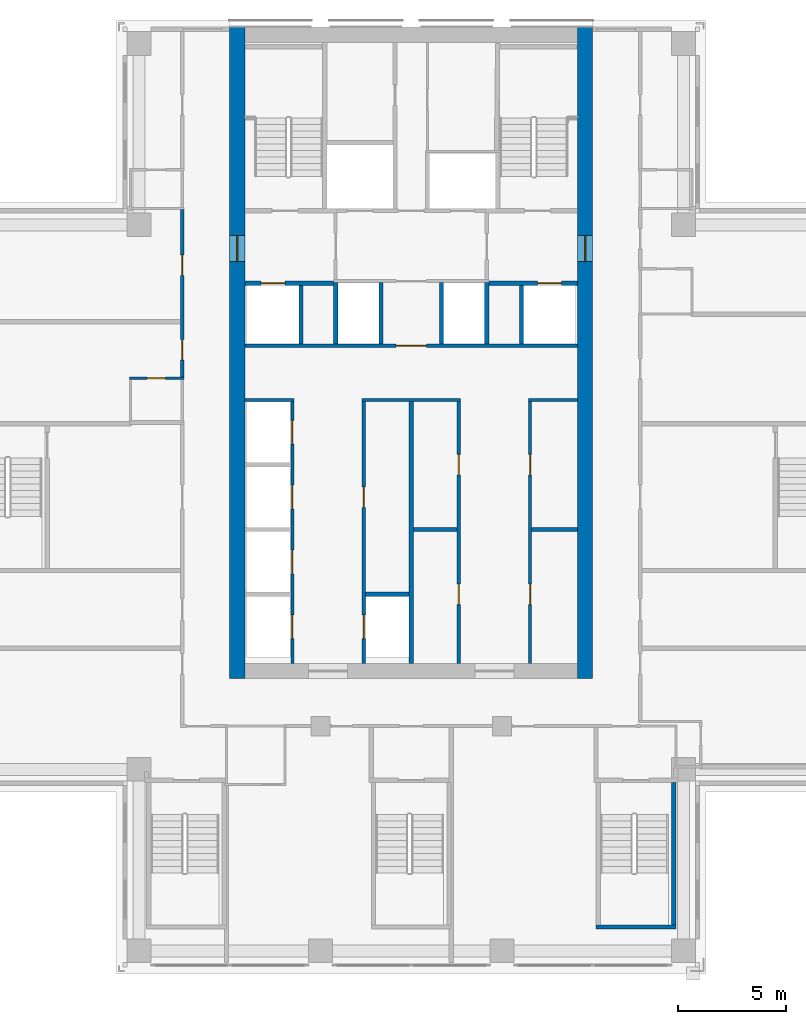
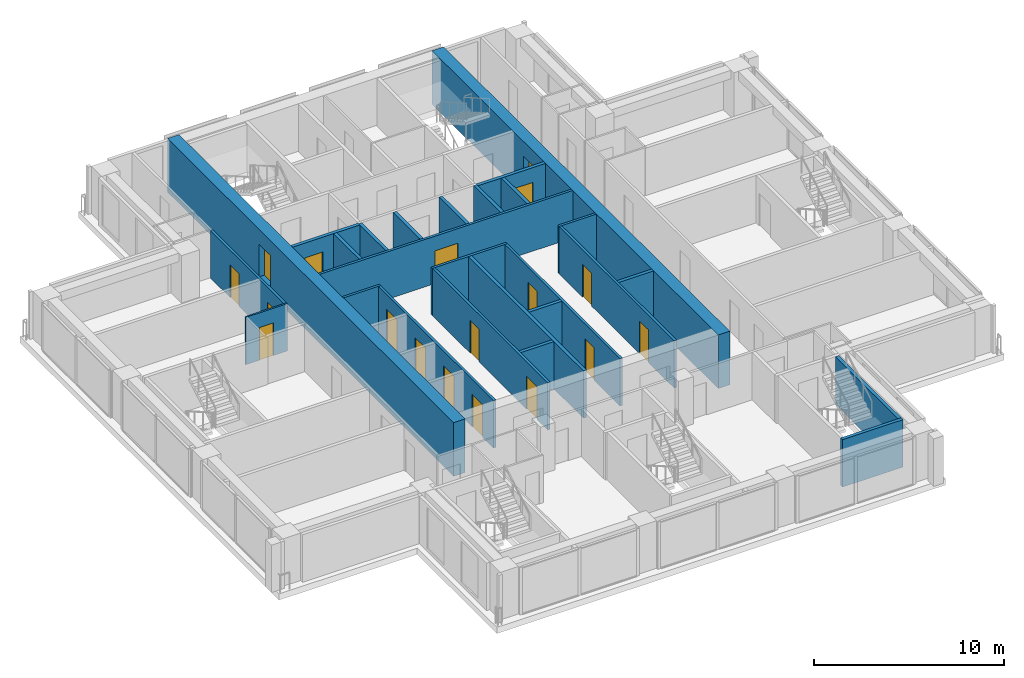
# One storey, part 10 of 16: 26 walls, 18 doors, 18 openings.
"""IFC4 building model written with IfcOpenShell, lengths in metres."""

from ifc_helpers import new_model, si_unit, direction, frame, frame_2d, origin, place, context, subcontext, project, spatial, rectangle, extrude, material, layer, layer_set, type_object, element, fill, save


model = new_model("IFC4")

# Units and contexts
model_context = context("Model", 3, precision=1e-05, world=origin(), true_north=direction((0.0, 1.0)))
body_context = subcontext(model_context, "Body", "Model", "MODEL_VIEW")
ifc_project = project(units=[si_unit("LENGTHUNIT", "METRE"), si_unit("AREAUNIT", "SQUARE_METRE"), si_unit("VOLUMEUNIT", "CUBIC_METRE"), si_unit("PLANEANGLEUNIT", "RADIAN"), si_unit("MASSUNIT", "GRAM", prefix="KILO")], contexts=[model_context])

# Site, building, storey
site_placement = place(None, origin())
site = spatial("IfcSite", under=ifc_project, at=site_placement, CompositionType="ELEMENT")
building_placement = place(site_placement, origin())
building = spatial("IfcBuilding", under=site, at=building_placement, Name="Vermilion Ogive Tower", CompositionType="ELEMENT")
storey_placement = place(building_placement, frame((0.0, 0.0, 146.89990234375)))
storey = spatial("IfcBuildingStorey", under=building, at=storey_placement, Name="L37", CompositionType="ELEMENT", Elevation=146.89990234375)

# Wall, opening, door
ifc_material_1 = material(Name="Gypsum board partition on steel studs", Category="steel")
ifc_layer_1 = layer(ifc_material_1, 0.10009765625)
ifc_layer_set_1 = layer_set([ifc_layer_1], Name="Partition 100 bath")
wall_type_1 = type_object("IfcWallType", Name="Partition 100 bath", PredefinedType="PARTITIONING", material=ifc_layer_set_1)
wall_1_placement = place(storey_placement, frame((-13.048095703125, 5.5, 0.0), z_axis=(0.0, 0.0, 1.0), x_axis=(1.0, 0.0, 0.0)))
wall_1 = element("IfcWall", 1, at=wall_1_placement, inside=storey, type_object=wall_type_1, Name="L37-W-W022", PredefinedType="PARTITIONING", context=body_context, shape_type="SweptSolid", body=[
    extrude(rectangle(XDim=2.523193359375, YDim=0.10009765625, at=frame_2d((1.26171875, 0.0))), origin(), (0.0, 0.0, 1.0), 3.050048828125),
])
opening_1_placement = place(wall_1_placement, frame((0.822998046875, 0.0, 0.0)))
opening_1 = element("IfcOpeningElement", 2, at=opening_1_placement, cuts=wall_1, Name="Opening D3G2003", PredefinedType="OPENING", context=body_context, shape_type="SweptSolid", body=[
    extrude(rectangle(XDim=0.85009765625, YDim=2.10009765625, at=frame_2d((0.425048828125, 1.050048828125))), frame((0.0, 0.06005859375, 0.0), z_axis=(0.0, -1.0, 0.0), x_axis=(1.0, 0.0, 0.0)), (0.0, 0.0, 1.0), 0.1201171875),
])
ifc_material_2 = material(Name="Timber door leaf", Category="wood")
door_type_1 = type_object("IfcDoorType", Name="Bath door 850 x 2100 FD30", OperationType="SINGLE_SWING_LEFT", PredefinedType="DOOR", material=ifc_material_2)
door_1_placement = place(opening_1_placement, origin())
door_1 = element("IfcDoor", 3, at=door_1_placement, inside=storey, type_object=door_type_1, Name="L37-D-D003", OperationType="SINGLE_SWING_RIGHT", OverallHeight=2.10009765625, OverallWidth=0.85009765625, PredefinedType="DOOR", context=body_context, shape_type="SweptSolid", body=[
    extrude(rectangle(XDim=0.85009765625, YDim=2.10009765625, at=frame_2d((0.425048828125, 1.050048828125))), frame((0.0, 0.02490234375, 0.0), z_axis=(0.0, -1.0, 0.0), x_axis=(1.0, 0.0, 0.0)), (0.0, 0.0, 1.0), 0.050048828125),
])
fill(opening_1, door_1)

# Wall, openings, doors
ifc_material_3 = material(Name="Gypsum board partition on steel studs", Category="steel")
ifc_layer_2 = layer(ifc_material_3, 0.14990234375)
ifc_layer_set_2 = layer_set([ifc_layer_2], Name="Partition 150 corridor")
wall_type_2 = type_object("IfcWallType", Name="Partition 150 corridor", PredefinedType="PARTITIONING", material=ifc_layer_set_2)
wall_2_placement = place(storey_placement, frame((-10.60009765625, 5.550048828125, 0.0), z_axis=(0.0, 0.0, 1.0), x_axis=(0.0, 1.0, 0.0)))
wall_2 = element("IfcWall", 4, at=wall_2_placement, inside=storey, type_object=wall_type_2, Name="L37-W-W041", PredefinedType="PARTITIONING", context=body_context, shape_type="SweptSolid", body=[
    extrude(rectangle(XDim=7.75, YDim=0.14990234375, at=frame_2d((3.875, 0.0))), origin(), (0.0, 0.0, 1.0), 3.050048828125),
])
opening_2_placement = place(wall_2_placement, frame((0.784912109375, 0.0, 0.0)))
opening_2 = element("IfcOpeningElement", 5, at=opening_2_placement, cuts=wall_2, Name="Opening D3G2002", PredefinedType="OPENING", context=body_context, shape_type="SweptSolid", body=[
    extrude(rectangle(XDim=0.949951171875, YDim=2.10009765625, at=frame_2d((0.47509765625, 1.050048828125))), frame((0.0, 0.0849609375, 0.0), z_axis=(0.0, -1.0, 0.0), x_axis=(1.0, 0.0, 0.0)), (0.0, 0.0, 1.0), 0.169921875),
])
opening_3_placement = place(wall_2_placement, frame((4.7099609375, 0.0, 0.0)))
opening_3 = element("IfcOpeningElement", 6, at=opening_3_placement, cuts=wall_2, Name="Opening D3G2004", PredefinedType="OPENING", context=body_context, shape_type="SweptSolid", body=[
    extrude(rectangle(XDim=0.949951171875, YDim=2.10009765625, at=frame_2d((0.47509765625, 1.050048828125))), frame((0.0, 0.0849609375, 0.0), z_axis=(0.0, -1.0, 0.0), x_axis=(1.0, 0.0, 0.0)), (0.0, 0.0, 1.0), 0.169921875),
])
ifc_material_4 = material(Name="Timber door leaf", Category="wood")
door_type_2 = type_object("IfcDoorType", Name="Unit door 950 x 2100 FD30S", OperationType="SINGLE_SWING_LEFT", PredefinedType="DOOR", material=ifc_material_4)
door_2_placement = place(opening_2_placement, origin())
door_2 = element("IfcDoor", 7, at=door_2_placement, inside=storey, type_object=door_type_2, Name="L37-D-D002", OperationType="SINGLE_SWING_LEFT", OverallHeight=2.10009765625, OverallWidth=0.949951171875, PredefinedType="DOOR", context=body_context, shape_type="SweptSolid", body=[
    extrude(rectangle(XDim=0.949951171875, YDim=2.10009765625, at=frame_2d((0.47509765625, 1.050048828125))), frame((0.0, 0.02490234375, 0.0), z_axis=(0.0, -1.0, 0.0), x_axis=(1.0, 0.0, 0.0)), (0.0, 0.0, 1.0), 0.050048828125),
])
fill(opening_2, door_2)
door_3_placement = place(opening_3_placement, origin())
door_3 = element("IfcDoor", 8, at=door_3_placement, inside=storey, type_object=door_type_2, Name="L37-D-D004", OperationType="SINGLE_SWING_RIGHT", OverallHeight=2.10009765625, OverallWidth=0.949951171875, PredefinedType="DOOR", context=body_context, shape_type="SweptSolid", body=[
    extrude(rectangle(XDim=0.949951171875, YDim=2.10009765625, at=frame_2d((0.47509765625, 1.050048828125))), frame((0.0, 0.02490234375, 0.0), z_axis=(0.0, -1.0, 0.0), x_axis=(1.0, 0.0, 0.0)), (0.0, 0.0, 1.0), 0.050048828125),
])
fill(opening_3, door_3)

# Walls
wall_3_placement = place(storey_placement, frame((-7.698974609375, 4.5, 0.0), z_axis=(0.0, 0.0, 1.0), x_axis=(1.0, 0.0, 0.0)))
element("IfcWall", 9, at=wall_3_placement, inside=storey, type_object=wall_type_2, Name="L37-CK-W-W007", PredefinedType="PARTITIONING", context=body_context, shape_type="SweptSolid", body=[
    extrude(rectangle(XDim=2.27392578125, YDim=0.14990234375, at=frame_2d((1.136962890625, 0.0))), origin(), (0.0, 0.0, 1.0), 3.050048828125),
])
wall_4_placement = place(storey_placement, frame((-2.27490234375, 4.5, 0.0), z_axis=(0.0, 0.0, 1.0), x_axis=(1.0, 0.0, 0.0)))
element("IfcWall", 10, at=wall_4_placement, inside=storey, type_object=wall_type_2, Name="L37-CK-W-W008", PredefinedType="PARTITIONING", context=body_context, shape_type="SweptSolid", body=[
    extrude(rectangle(XDim=4.5498046875, YDim=0.14990234375, at=frame_2d((2.27490234375, 0.0))), origin(), (0.0, 0.0, 1.0), 3.050048828125),
])
wall_5_placement = place(storey_placement, frame((5.425048828125, 4.5, 0.0), z_axis=(0.0, 0.0, 1.0), x_axis=(1.0, 0.0, 0.0)))
element("IfcWall", 11, at=wall_5_placement, inside=storey, type_object=wall_type_2, Name="L37-CK-W-W009", PredefinedType="PARTITIONING", context=body_context, shape_type="SweptSolid", body=[
    extrude(rectangle(XDim=2.27392578125, YDim=0.14990234375, at=frame_2d((1.136962890625, 0.0))), origin(), (0.0, 0.0, 1.0), 3.050048828125),
])

# Wall, opening, door
wall_6_placement = place(storey_placement, frame((-7.698974609375, 7.0, 0.0), z_axis=(0.0, 0.0, 1.0), x_axis=(1.0, 0.0, 0.0)))
wall_6 = element("IfcWall", 12, at=wall_6_placement, inside=storey, type_object=wall_type_2, Name="L37-CK-W-W010", PredefinedType="PARTITIONING", context=body_context, shape_type="SweptSolid", body=[
    extrude(rectangle(XDim=15.39794921875, YDim=0.14990234375, at=frame_2d((7.698974609375, 0.0))), origin(), (0.0, 0.0, 1.0), 3.050048828125),
])
opening_4_placement = place(wall_6_placement, frame((6.9990234375, 0.0, 0.0)))
opening_4 = element("IfcOpeningElement", 13, at=opening_4_placement, cuts=wall_6, Name="Opening DAA302", PredefinedType="OPENING", context=body_context, shape_type="SweptSolid", body=[
    extrude(rectangle(XDim=1.39990234375, YDim=2.10009765625, at=frame_2d((0.699951171875, 1.050048828125))), frame((0.0, 0.0849609375, 0.0), z_axis=(0.0, -1.0, 0.0), x_axis=(1.0, 0.0, 0.0)), (0.0, 0.0, 1.0), 0.169921875),
])
ifc_material_5 = material(Name="Timber door leaf", Category="wood")
door_type_3 = type_object("IfcDoorType", Name="Lobby door 1400 x 2100 FD60S", OperationType="SINGLE_SWING_LEFT", PredefinedType="DOOR", material=ifc_material_5)
door_4_placement = place(opening_4_placement, origin())
door_4 = element("IfcDoor", 14, at=door_4_placement, inside=storey, type_object=door_type_3, Name="L37-CK-D-D015", OperationType="SINGLE_SWING_RIGHT", OverallHeight=2.10009765625, OverallWidth=1.39990234375, PredefinedType="DOOR", context=body_context, shape_type="SweptSolid", body=[
    extrude(rectangle(XDim=1.39990234375, YDim=2.10009765625, at=frame_2d((0.699951171875, 1.050048828125))), frame((0.0, 0.02490234375, 0.0), z_axis=(0.0, -1.0, 0.0), x_axis=(1.0, 0.0, 0.0)), (0.0, 0.0, 1.0), 0.050048828125),
])
fill(opening_4, door_4)

# Wall, openings, doors
wall_7_placement = place(storey_placement, frame((-5.5, -7.698974609375, 0.0), z_axis=(0.0, 0.0, 1.0), x_axis=(0.0, 1.0, 0.0)))
wall_7 = element("IfcWall", 15, at=wall_7_placement, inside=storey, type_object=wall_type_2, Name="L37-CK-W-W019", PredefinedType="PARTITIONING", context=body_context, shape_type="SweptSolid", body=[
    extrude(rectangle(XDim=12.1240234375, YDim=0.14990234375, at=frame_2d((6.06201171875, 0.0))), origin(), (0.0, 0.0, 1.0), 3.050048828125),
])
opening_5_placement = place(wall_7_placement, frame((1.14892578125, 0.0, 0.0)))
opening_5 = element("IfcOpeningElement", 16, at=opening_5_placement, cuts=wall_7, Name="Opening DAA314", PredefinedType="OPENING", context=body_context, shape_type="SweptSolid", body=[
    extrude(rectangle(XDim=1.10009765625, YDim=2.10009765625, at=frame_2d((0.550048828125, 1.050048828125))), frame((0.0, 0.0849609375, 0.0), z_axis=(0.0, -1.0, 0.0), x_axis=(1.0, 0.0, 0.0)), (0.0, 0.0, 1.0), 0.169921875),
])
opening_6_placement = place(wall_7_placement, frame((4.14892578125, 0.0, 0.0)))
opening_6 = element("IfcOpeningElement", 17, at=opening_6_placement, cuts=wall_7, Name="Opening DAA315", PredefinedType="OPENING", context=body_context, shape_type="SweptSolid", body=[
    extrude(rectangle(XDim=1.10009765625, YDim=2.10009765625, at=frame_2d((0.550048828125, 1.050048828125))), frame((0.0, 0.0849609375, 0.0), z_axis=(0.0, -1.0, 0.0), x_axis=(1.0, 0.0, 0.0)), (0.0, 0.0, 1.0), 0.169921875),
])
opening_7_placement = place(wall_7_placement, frame((7.14892578125, 0.0, 0.0)))
opening_7 = element("IfcOpeningElement", 18, at=opening_7_placement, cuts=wall_7, Name="Opening DAA316", PredefinedType="OPENING", context=body_context, shape_type="SweptSolid", body=[
    extrude(rectangle(XDim=1.10009765625, YDim=2.10009765625, at=frame_2d((0.550048828125, 1.050048828125))), frame((0.0, 0.0849609375, 0.0), z_axis=(0.0, -1.0, 0.0), x_axis=(1.0, 0.0, 0.0)), (0.0, 0.0, 1.0), 0.169921875),
])
opening_8_placement = place(wall_7_placement, frame((10.14892578125, 0.0, 0.0)))
opening_8 = element("IfcOpeningElement", 19, at=opening_8_placement, cuts=wall_7, Name="Opening DAA317", PredefinedType="OPENING", context=body_context, shape_type="SweptSolid", body=[
    extrude(rectangle(XDim=1.10009765625, YDim=2.10009765625, at=frame_2d((0.550048828125, 1.050048828125))), frame((0.0, 0.0849609375, 0.0), z_axis=(0.0, -1.0, 0.0), x_axis=(1.0, 0.0, 0.0)), (0.0, 0.0, 1.0), 0.169921875),
])
ifc_material_6 = material(Name="Stainless steel", Category="steel")
door_type_4 = type_object("IfcDoorType", Name="Lift landing door 1100 x 2100", OperationType="SLIDING_TO_LEFT", PredefinedType="DOOR", material=ifc_material_6)
door_5_placement = place(opening_5_placement, origin())
door_5 = element("IfcDoor", 20, at=door_5_placement, inside=storey, type_object=door_type_4, Name="L37-CK-D-D001", OperationType="SLIDING_TO_LEFT", OverallHeight=2.10009765625, OverallWidth=1.10009765625, PredefinedType="DOOR", context=body_context, shape_type="SweptSolid", body=[
    extrude(rectangle(XDim=1.10009765625, YDim=2.10009765625, at=frame_2d((0.550048828125, 1.050048828125))), frame((0.0, 0.02490234375, 0.0), z_axis=(0.0, -1.0, 0.0), x_axis=(1.0, 0.0, 0.0)), (0.0, 0.0, 1.0), 0.050048828125),
])
fill(opening_5, door_5)
door_6_placement = place(opening_6_placement, origin())
door_6 = element("IfcDoor", 21, at=door_6_placement, inside=storey, type_object=door_type_4, Name="L37-CK-D-D002", OperationType="SLIDING_TO_LEFT", OverallHeight=2.10009765625, OverallWidth=1.10009765625, PredefinedType="DOOR", context=body_context, shape_type="SweptSolid", body=[
    extrude(rectangle(XDim=1.10009765625, YDim=2.10009765625, at=frame_2d((0.550048828125, 1.050048828125))), frame((0.0, 0.02490234375, 0.0), z_axis=(0.0, -1.0, 0.0), x_axis=(1.0, 0.0, 0.0)), (0.0, 0.0, 1.0), 0.050048828125),
])
fill(opening_6, door_6)
door_7_placement = place(opening_7_placement, origin())
door_7 = element("IfcDoor", 22, at=door_7_placement, inside=storey, type_object=door_type_4, Name="L37-CK-D-D003", OperationType="SLIDING_TO_LEFT", OverallHeight=2.10009765625, OverallWidth=1.10009765625, PredefinedType="DOOR", context=body_context, shape_type="SweptSolid", body=[
    extrude(rectangle(XDim=1.10009765625, YDim=2.10009765625, at=frame_2d((0.550048828125, 1.050048828125))), frame((0.0, 0.02490234375, 0.0), z_axis=(0.0, -1.0, 0.0), x_axis=(1.0, 0.0, 0.0)), (0.0, 0.0, 1.0), 0.050048828125),
])
fill(opening_7, door_7)
door_8_placement = place(opening_8_placement, origin())
door_8 = element("IfcDoor", 23, at=door_8_placement, inside=storey, type_object=door_type_4, Name="L37-CK-D-D004", OperationType="SLIDING_TO_LEFT", OverallHeight=2.10009765625, OverallWidth=1.10009765625, PredefinedType="DOOR", context=body_context, shape_type="SweptSolid", body=[
    extrude(rectangle(XDim=1.10009765625, YDim=2.10009765625, at=frame_2d((0.550048828125, 1.050048828125))), frame((0.0, 0.02490234375, 0.0), z_axis=(0.0, -1.0, 0.0), x_axis=(1.0, 0.0, 0.0)), (0.0, 0.0, 1.0), 0.050048828125),
])
fill(opening_8, door_8)

wall_8_placement = place(storey_placement, frame((-2.199951171875, -7.698974609375, 0.0), z_axis=(0.0, 0.0, 1.0), x_axis=(0.0, 1.0, 0.0)))
wall_8 = element("IfcWall", 24, at=wall_8_placement, inside=storey, type_object=wall_type_2, Name="L37-CK-W-W024", PredefinedType="PARTITIONING", context=body_context, shape_type="SweptSolid", body=[
    extrude(rectangle(XDim=12.1240234375, YDim=0.14990234375, at=frame_2d((6.06201171875, 0.0))), origin(), (0.0, 0.0, 1.0), 3.050048828125),
])
opening_9_placement = place(wall_8_placement, frame((1.14892578125, 0.0, 0.0)))
opening_9 = element("IfcOpeningElement", 25, at=opening_9_placement, cuts=wall_8, Name="Opening DAA318", PredefinedType="OPENING", context=body_context, shape_type="SweptSolid", body=[
    extrude(rectangle(XDim=1.10009765625, YDim=2.10009765625, at=frame_2d((0.550048828125, 1.050048828125))), frame((0.0, 0.0849609375, 0.0), z_axis=(0.0, -1.0, 0.0), x_axis=(1.0, 0.0, 0.0)), (0.0, 0.0, 1.0), 0.169921875),
])
opening_10_placement = place(wall_8_placement, frame((7.223876953125, 0.0, 0.0)))
opening_10 = element("IfcOpeningElement", 26, at=opening_10_placement, cuts=wall_8, Name="Opening DAA305", PredefinedType="OPENING", context=body_context, shape_type="SweptSolid", body=[
    extrude(rectangle(XDim=0.949951171875, YDim=2.10009765625, at=frame_2d((0.47509765625, 1.050048828125))), frame((0.0, 0.0849609375, 0.0), z_axis=(0.0, -1.0, 0.0), x_axis=(1.0, 0.0, 0.0)), (0.0, 0.0, 1.0), 0.169921875),
])
door_9_placement = place(opening_9_placement, origin())
door_9 = element("IfcDoor", 27, at=door_9_placement, inside=storey, type_object=door_type_4, Name="L37-CK-D-D005", OperationType="SLIDING_TO_LEFT", OverallHeight=2.10009765625, OverallWidth=1.10009765625, PredefinedType="DOOR", context=body_context, shape_type="SweptSolid", body=[
    extrude(rectangle(XDim=1.10009765625, YDim=2.10009765625, at=frame_2d((0.550048828125, 1.050048828125))), frame((0.0, 0.02490234375, 0.0), z_axis=(0.0, -1.0, 0.0), x_axis=(1.0, 0.0, 0.0)), (0.0, 0.0, 1.0), 0.050048828125),
])
fill(opening_9, door_9)
ifc_material_7 = material(Name="Timber door leaf", Category="wood")
door_type_5 = type_object("IfcDoorType", Name="Service door 950 x 2100 FD60", OperationType="SINGLE_SWING_LEFT", PredefinedType="DOOR", material=ifc_material_7)
door_10_placement = place(opening_10_placement, origin())
door_10 = element("IfcDoor", 28, at=door_10_placement, inside=storey, type_object=door_type_5, Name="L37-CK-D-D006", OperationType="SINGLE_SWING_RIGHT", OverallHeight=2.10009765625, OverallWidth=0.949951171875, PredefinedType="DOOR", context=body_context, shape_type="SweptSolid", body=[
    extrude(rectangle(XDim=0.949951171875, YDim=2.10009765625, at=frame_2d((0.47509765625, 1.050048828125))), frame((0.0, 0.02490234375, 0.0), z_axis=(0.0, -1.0, 0.0), x_axis=(1.0, 0.0, 0.0)), (0.0, 0.0, 1.0), 0.050048828125),
])
fill(opening_10, door_10)

wall_9_placement = place(storey_placement, frame((2.199951171875, -7.698974609375, 0.0), z_axis=(0.0, 0.0, 1.0), x_axis=(0.0, 1.0, 0.0)))
wall_9 = element("IfcWall", 29, at=wall_9_placement, inside=storey, type_object=wall_type_2, Name="L37-CK-W-W031", PredefinedType="PARTITIONING", context=body_context, shape_type="SweptSolid", body=[
    extrude(rectangle(XDim=12.1240234375, YDim=0.14990234375, at=frame_2d((6.06201171875, 0.0))), origin(), (0.0, 0.0, 1.0), 3.050048828125),
])
opening_11_placement = place(wall_9_placement, frame((2.723876953125, 0.0, 0.0)))
opening_11 = element("IfcOpeningElement", 30, at=opening_11_placement, cuts=wall_9, Name="Opening DAA306", PredefinedType="OPENING", context=body_context, shape_type="SweptSolid", body=[
    extrude(rectangle(XDim=0.949951171875, YDim=2.10009765625, at=frame_2d((0.47509765625, 1.050048828125))), frame((0.0, 0.0849609375, 0.0), z_axis=(0.0, -1.0, 0.0), x_axis=(1.0, 0.0, 0.0)), (0.0, 0.0, 1.0), 0.169921875),
])
opening_12_placement = place(wall_9_placement, frame((8.723876953125, 0.0, 0.0)))
opening_12 = element("IfcOpeningElement", 31, at=opening_12_placement, cuts=wall_9, Name="Opening DAA307", PredefinedType="OPENING", context=body_context, shape_type="SweptSolid", body=[
    extrude(rectangle(XDim=0.949951171875, YDim=2.10009765625, at=frame_2d((0.47509765625, 1.050048828125))), frame((0.0, 0.0849609375, 0.0), z_axis=(0.0, -1.0, 0.0), x_axis=(1.0, 0.0, 0.0)), (0.0, 0.0, 1.0), 0.169921875),
])
door_11_placement = place(opening_11_placement, origin())
door_11 = element("IfcDoor", 32, at=door_11_placement, inside=storey, type_object=door_type_5, Name="L37-CK-D-D007", OperationType="SINGLE_SWING_RIGHT", OverallHeight=2.10009765625, OverallWidth=0.949951171875, PredefinedType="DOOR", context=body_context, shape_type="SweptSolid", body=[
    extrude(rectangle(XDim=0.949951171875, YDim=2.10009765625, at=frame_2d((0.47509765625, 1.050048828125))), frame((0.0, 0.02490234375, 0.0), z_axis=(0.0, -1.0, 0.0), x_axis=(1.0, 0.0, 0.0)), (0.0, 0.0, 1.0), 0.050048828125),
])
fill(opening_11, door_11)
door_12_placement = place(opening_12_placement, origin())
door_12 = element("IfcDoor", 33, at=door_12_placement, inside=storey, type_object=door_type_5, Name="L37-CK-D-D008", OperationType="SINGLE_SWING_RIGHT", OverallHeight=2.10009765625, OverallWidth=0.949951171875, PredefinedType="DOOR", context=body_context, shape_type="SweptSolid", body=[
    extrude(rectangle(XDim=0.949951171875, YDim=2.10009765625, at=frame_2d((0.47509765625, 1.050048828125))), frame((0.0, 0.02490234375, 0.0), z_axis=(0.0, -1.0, 0.0), x_axis=(1.0, 0.0, 0.0)), (0.0, 0.0, 1.0), 0.050048828125),
])
fill(opening_12, door_12)

wall_10_placement = place(storey_placement, frame((5.5, -7.698974609375, 0.0), z_axis=(0.0, 0.0, 1.0), x_axis=(0.0, 1.0, 0.0)))
wall_10 = element("IfcWall", 34, at=wall_10_placement, inside=storey, type_object=wall_type_2, Name="L37-CK-W-W037", PredefinedType="PARTITIONING", context=body_context, shape_type="SweptSolid", body=[
    extrude(rectangle(XDim=12.1240234375, YDim=0.14990234375, at=frame_2d((6.06201171875, 0.0))), origin(), (0.0, 0.0, 1.0), 3.050048828125),
])
opening_13_placement = place(wall_10_placement, frame((2.723876953125, 0.0, 0.0)))
opening_13 = element("IfcOpeningElement", 35, at=opening_13_placement, cuts=wall_10, Name="Opening DAA308", PredefinedType="OPENING", context=body_context, shape_type="SweptSolid", body=[
    extrude(rectangle(XDim=0.949951171875, YDim=2.10009765625, at=frame_2d((0.47509765625, 1.050048828125))), frame((0.0, 0.0849609375, 0.0), z_axis=(0.0, -1.0, 0.0), x_axis=(1.0, 0.0, 0.0)), (0.0, 0.0, 1.0), 0.169921875),
])
opening_14_placement = place(wall_10_placement, frame((8.723876953125, 0.0, 0.0)))
opening_14 = element("IfcOpeningElement", 36, at=opening_14_placement, cuts=wall_10, Name="Opening DAA309", PredefinedType="OPENING", context=body_context, shape_type="SweptSolid", body=[
    extrude(rectangle(XDim=0.949951171875, YDim=2.10009765625, at=frame_2d((0.47509765625, 1.050048828125))), frame((0.0, 0.0849609375, 0.0), z_axis=(0.0, -1.0, 0.0), x_axis=(1.0, 0.0, 0.0)), (0.0, 0.0, 1.0), 0.169921875),
])
door_13_placement = place(opening_13_placement, origin())
door_13 = element("IfcDoor", 37, at=door_13_placement, inside=storey, type_object=door_type_5, Name="L37-CK-D-D009", OperationType="SINGLE_SWING_LEFT", OverallHeight=2.10009765625, OverallWidth=0.949951171875, PredefinedType="DOOR", context=body_context, shape_type="SweptSolid", body=[
    extrude(rectangle(XDim=0.949951171875, YDim=2.10009765625, at=frame_2d((0.47509765625, 1.050048828125))), frame((0.0, 0.02490234375, 0.0), z_axis=(0.0, -1.0, 0.0), x_axis=(1.0, 0.0, 0.0)), (0.0, 0.0, 1.0), 0.050048828125),
])
fill(opening_13, door_13)
door_14_placement = place(opening_14_placement, origin())
door_14 = element("IfcDoor", 38, at=door_14_placement, inside=storey, type_object=door_type_5, Name="L37-CK-D-D010", OperationType="SINGLE_SWING_LEFT", OverallHeight=2.10009765625, OverallWidth=0.949951171875, PredefinedType="DOOR", context=body_context, shape_type="SweptSolid", body=[
    extrude(rectangle(XDim=0.949951171875, YDim=2.10009765625, at=frame_2d((0.47509765625, 1.050048828125))), frame((0.0, 0.02490234375, 0.0), z_axis=(0.0, -1.0, 0.0), x_axis=(1.0, 0.0, 0.0)), (0.0, 0.0, 1.0), 0.050048828125),
])
fill(opening_14, door_14)

# Walls
ifc_material_8 = material(Name="Gypsum board partition on steel studs", Category="steel")
ifc_layer_3 = layer(ifc_material_8, 0.199951171875)
ifc_layer_set_3 = layer_set([ifc_layer_3], Name="Partition 200 party")
wall_type_3 = type_object("IfcWallType", Name="Partition 200 party", PredefinedType="PARTITIONING", material=ifc_layer_set_3)
for number, where, z_axis, x_axis, name in (
    (39, (-2.125, -4.5, 0.0), (0.0, 0.0, 1.0), (1.0, 0.0, 0.0), "L37-CK-W-W002"),
    (40, (0.10009765625, -1.5, 0.0), (0.0, 0.0, 1.0), (1.0, 0.0, 0.0), "L37-CK-W-W004"),
):
    element("IfcWall", number, at=place(storey_placement, frame(where, z_axis=z_axis, x_axis=x_axis)), inside=storey, type_object=wall_type_3, Name=name, PredefinedType="PARTITIONING", context=body_context, shape_type="SweptSolid", body=[
        extrude(rectangle(XDim=2.02490234375, YDim=0.199951171875, at=frame_2d((1.012451171875, 0.0))), origin(), (0.0, 0.0, 1.0), 3.050048828125),
    ])
wall_11_placement = place(storey_placement, frame((5.574951171875, -1.5, 0.0), z_axis=(0.0, 0.0, 1.0), x_axis=(1.0, 0.0, 0.0)))
element("IfcWall", 41, at=wall_11_placement, inside=storey, type_object=wall_type_3, Name="L37-CK-W-W005", PredefinedType="PARTITIONING", context=body_context, shape_type="SweptSolid", body=[
    extrude(rectangle(XDim=2.1240234375, YDim=0.199951171875, at=frame_2d((1.06201171875, 0.0))), origin(), (0.0, 0.0, 1.0), 3.050048828125),
])

# Wall, opening, door
wall_12_placement = place(storey_placement, frame((-7.698974609375, 9.89990234375, 0.0), z_axis=(0.0, 0.0, 1.0), x_axis=(1.0, 0.0, 0.0)))
wall_12 = element("IfcWall", 42, at=wall_12_placement, inside=storey, type_object=wall_type_3, Name="L37-CK-W-W011", PredefinedType="PARTITIONING", context=body_context, shape_type="SweptSolid", body=[
    extrude(rectangle(XDim=4.098876953125, YDim=0.199951171875, at=frame_2d((2.04931640625, 0.0))), origin(), (0.0, 0.0, 1.0), 3.050048828125),
])
opening_15_placement = place(wall_12_placement, frame((0.7490234375, 0.0, 0.0)))
opening_15 = element("IfcOpeningElement", 43, at=opening_15_placement, cuts=wall_12, Name="Opening DAA319", PredefinedType="OPENING", context=body_context, shape_type="SweptSolid", body=[
    extrude(rectangle(XDim=1.10009765625, YDim=2.10009765625, at=frame_2d((0.550048828125, 1.050048828125))), frame((0.0, 0.10986328125, 0.0), z_axis=(0.0, -1.0, 0.0), x_axis=(1.0, 0.0, 0.0)), (0.0, 0.0, 1.0), 0.219970703125),
])
door_15_placement = place(opening_15_placement, origin())
door_15 = element("IfcDoor", 44, at=door_15_placement, inside=storey, type_object=door_type_4, Name="L37-CK-D-D012", OperationType="SLIDING_TO_RIGHT", OverallHeight=2.10009765625, OverallWidth=1.10009765625, PredefinedType="DOOR", context=body_context, shape_type="SweptSolid", body=[
    extrude(rectangle(XDim=1.10009765625, YDim=2.10009765625, at=frame_2d((0.550048828125, 1.050048828125))), frame((0.0, 0.02490234375, 0.0), z_axis=(0.0, -1.0, 0.0), x_axis=(1.0, 0.0, 0.0)), (0.0, 0.0, 1.0), 0.050048828125),
])
fill(opening_15, door_15)

wall_13_placement = place(storey_placement, frame((3.60009765625, 9.89990234375, 0.0), z_axis=(0.0, 0.0, 1.0), x_axis=(1.0, 0.0, 0.0)))
wall_13 = element("IfcWall", 45, at=wall_13_placement, inside=storey, type_object=wall_type_3, Name="L37-CK-W-W012", PredefinedType="PARTITIONING", context=body_context, shape_type="SweptSolid", body=[
    extrude(rectangle(XDim=4.098876953125, YDim=0.199951171875, at=frame_2d((2.04931640625, 0.0))), origin(), (0.0, 0.0, 1.0), 3.050048828125),
])
opening_16_placement = place(wall_13_placement, frame((2.25, 0.0, 0.0)))
opening_16 = element("IfcOpeningElement", 46, at=opening_16_placement, cuts=wall_13, Name="Opening DAA320", PredefinedType="OPENING", context=body_context, shape_type="SweptSolid", body=[
    extrude(rectangle(XDim=1.10009765625, YDim=2.10009765625, at=frame_2d((0.550048828125, 1.050048828125))), frame((0.0, 0.10986328125, 0.0), z_axis=(0.0, -1.0, 0.0), x_axis=(1.0, 0.0, 0.0)), (0.0, 0.0, 1.0), 0.219970703125),
])
door_16_placement = place(opening_16_placement, origin())
door_16 = element("IfcDoor", 47, at=door_16_placement, inside=storey, type_object=door_type_4, Name="L37-CK-D-D014", OperationType="SLIDING_TO_LEFT", OverallHeight=2.10009765625, OverallWidth=1.10009765625, PredefinedType="DOOR", context=body_context, shape_type="SweptSolid", body=[
    extrude(rectangle(XDim=1.10009765625, YDim=2.10009765625, at=frame_2d((0.550048828125, 1.050048828125))), frame((0.0, 0.02490234375, 0.0), z_axis=(0.0, -1.0, 0.0), x_axis=(1.0, 0.0, 0.0)), (0.0, 0.0, 1.0), 0.050048828125),
])
fill(opening_16, door_16)

# Walls
wall_14_placement = place(storey_placement, frame((-5.10009765625, 7.074951171875, 0.0), z_axis=(0.0, 0.0, 1.0), x_axis=(0.0, 1.0, 0.0)))
element("IfcWall", 48, at=wall_14_placement, inside=storey, type_object=wall_type_3, Name="L37-CK-W-W020", PredefinedType="PARTITIONING", context=body_context, shape_type="SweptSolid", body=[
    extrude(rectangle(XDim=2.72509765625, YDim=0.199951171875, at=frame_2d((1.362548828125, 0.0))), origin(), (0.0, 0.0, 1.0), 3.050048828125),
])
for number, where, z_axis, x_axis, name in (
    (49, (-3.5, 7.074951171875, 0.0), (0.0, 0.0, 1.0), (0.0, 1.0, 0.0), "L37-CK-W-W022"),
    (50, (-1.39990234375, 7.074951171875, 0.0), (0.0, 0.0, 1.0), (0.0, 1.0, 0.0), "L37-CK-W-W025"),
):
    element("IfcWall", number, at=place(storey_placement, frame(where, z_axis=z_axis, x_axis=x_axis)), inside=storey, type_object=wall_type_3, Name=name, PredefinedType="PARTITIONING", context=body_context, shape_type="SweptSolid", body=[
        extrude(rectangle(XDim=2.85009765625, YDim=0.199951171875, at=frame_2d((1.425048828125, 0.0))), origin(), (0.0, 0.0, 1.0), 3.050048828125),
    ])
wall_15_placement = place(storey_placement, frame((0.0, -7.698974609375, 0.0), z_axis=(0.0, 0.0, 1.0), x_axis=(0.0, 1.0, 0.0)))
element("IfcWall", 51, at=wall_15_placement, inside=storey, type_object=wall_type_3, Name="L37-CK-W-W027", PredefinedType="PARTITIONING", context=body_context, shape_type="SweptSolid", body=[
    extrude(rectangle(XDim=12.1240234375, YDim=0.199951171875, at=frame_2d((6.06201171875, 0.0))), origin(), (0.0, 0.0, 1.0), 3.050048828125),
])
for number, where, z_axis, x_axis, name in (
    (52, (1.39990234375, 7.074951171875, 0.0), (0.0, 0.0, 1.0), (0.0, 1.0, 0.0), "L37-CK-W-W030"),
    (53, (3.5, 7.074951171875, 0.0), (0.0, 0.0, 1.0), (0.0, 1.0, 0.0), "L37-CK-W-W032"),
):
    element("IfcWall", number, at=place(storey_placement, frame(where, z_axis=z_axis, x_axis=x_axis)), inside=storey, type_object=wall_type_3, Name=name, PredefinedType="PARTITIONING", context=body_context, shape_type="SweptSolid", body=[
        extrude(rectangle(XDim=2.85009765625, YDim=0.199951171875, at=frame_2d((1.425048828125, 0.0))), origin(), (0.0, 0.0, 1.0), 3.050048828125),
    ])
wall_16_placement = place(storey_placement, frame((5.10009765625, 7.074951171875, 0.0), z_axis=(0.0, 0.0, 1.0), x_axis=(0.0, 1.0, 0.0)))
element("IfcWall", 54, at=wall_16_placement, inside=storey, type_object=wall_type_3, Name="L37-CK-W-W036", PredefinedType="PARTITIONING", context=body_context, shape_type="SweptSolid", body=[
    extrude(rectangle(XDim=2.72509765625, YDim=0.199951171875, at=frame_2d((1.362548828125, 0.0))), origin(), (0.0, 0.0, 1.0), 3.050048828125),
])

# Wall, opening, door
ifc_material_9 = material(Name="Concrete B60", Category="concrete")
ifc_layer_4 = layer(ifc_material_9, 0.199951171875)
ifc_layer_set_4 = layer_set([ifc_layer_4], Name="Stair shaft wall 200 Concrete B60")
wall_type_4 = type_object("IfcWallType", Name="Stair shaft wall 200 Concrete B60", PredefinedType="SOLIDWALL", material=ifc_layer_set_4)
wall_17_placement = place(storey_placement, frame((8.050048828125, -8.39990234375, -0.39990234375), z_axis=(0.0, 0.0, 1.0), x_axis=(0.0, 1.0, 0.0)))
wall_17 = element("IfcWall", 55, at=wall_17_placement, inside=storey, type_object=wall_type_4, Name="L37-CORE-E", PredefinedType="SOLIDWALL", context=body_context, shape_type="SweptSolid", body=[
    extrude(rectangle(XDim=30.14990234375, YDim=0.699951171875, at=frame_2d((15.074951171875, 0.0))), origin(), (0.0, 0.0, 1.0), 3.449951171875),
])
opening_17_placement = place(wall_17_placement, frame((19.300048828125, 0.0, 0.39990234375)))
opening_17 = element("IfcOpeningElement", 56, at=opening_17_placement, cuts=wall_17, Name="Opening DAL014", PredefinedType="OPENING", context=body_context, shape_type="SweptSolid", body=[
    extrude(rectangle(XDim=1.199951171875, YDim=2.10009765625, at=frame_2d((0.60009765625, 1.050048828125))), frame((0.0, 0.35986328125, 0.0), z_axis=(0.0, -1.0, 0.0), x_axis=(1.0, 0.0, 0.0)), (0.0, 0.0, 1.0), 0.719970703125),
])
ifc_material_10 = material(Name="Timber door leaf", Category="wood")
door_type_6 = type_object("IfcDoorType", Name="Link door 1200 x 2100 FD60S", OperationType="SINGLE_SWING_LEFT", PredefinedType="DOOR", material=ifc_material_10)
door_17_placement = place(opening_17_placement, origin())
door_17 = element("IfcDoor", 57, at=door_17_placement, inside=storey, type_object=door_type_6, Name="L37-CK-XD4", OperationType="SINGLE_SWING_LEFT", OverallHeight=2.10009765625, OverallWidth=1.199951171875, PredefinedType="DOOR", context=body_context, shape_type="SweptSolid", body=[
    extrude(rectangle(XDim=1.199951171875, YDim=2.10009765625, at=frame_2d((0.60009765625, 1.050048828125))), frame((0.0, 0.02490234375, 0.0), z_axis=(0.0, -1.0, 0.0), x_axis=(1.0, 0.0, 0.0)), (0.0, 0.0, 1.0), 0.050048828125),
])
fill(opening_17, door_17)

wall_18_placement = place(storey_placement, frame((-8.050048828125, -8.39990234375, -0.39990234375), z_axis=(0.0, 0.0, 1.0), x_axis=(0.0, 1.0, 0.0)))
wall_18 = element("IfcWall", 58, at=wall_18_placement, inside=storey, type_object=wall_type_4, Name="L37-CORE-W", PredefinedType="SOLIDWALL", context=body_context, shape_type="SweptSolid", body=[
    extrude(rectangle(XDim=30.14990234375, YDim=0.699951171875, at=frame_2d((15.074951171875, 0.0))), origin(), (0.0, 0.0, 1.0), 3.449951171875),
])
opening_18_placement = place(wall_18_placement, frame((19.300048828125, 0.0, 0.39990234375)))
opening_18 = element("IfcOpeningElement", 59, at=opening_18_placement, cuts=wall_18, Name="Opening DAM014", PredefinedType="OPENING", context=body_context, shape_type="SweptSolid", body=[
    extrude(rectangle(XDim=1.199951171875, YDim=2.10009765625, at=frame_2d((0.60009765625, 1.050048828125))), frame((0.0, 0.35986328125, 0.0), z_axis=(0.0, -1.0, 0.0), x_axis=(1.0, 0.0, 0.0)), (0.0, 0.0, 1.0), 0.719970703125),
])
door_18_placement = place(opening_18_placement, origin())
door_18 = element("IfcDoor", 60, at=door_18_placement, inside=storey, type_object=door_type_6, Name="L37-CK-XD3", OperationType="SINGLE_SWING_LEFT", OverallHeight=2.10009765625, OverallWidth=1.199951171875, PredefinedType="DOOR", context=body_context, shape_type="SweptSolid", body=[
    extrude(rectangle(XDim=1.199951171875, YDim=2.10009765625, at=frame_2d((0.60009765625, 1.050048828125))), frame((0.0, 0.02490234375, 0.0), z_axis=(0.0, -1.0, 0.0), x_axis=(1.0, 0.0, 0.0)), (0.0, 0.0, 1.0), 0.050048828125),
])
fill(opening_18, door_18)

# Walls
wall_19_placement = place(storey_placement, frame((8.552001953125, -19.89990234375, 0.0), z_axis=(0.0, 0.0, 1.0), x_axis=(1.0, 0.0, 0.0)))
element("IfcWall", 61, at=wall_19_placement, inside=storey, type_object=wall_type_4, Name="L37-W-W003", PredefinedType="SOLIDWALL", context=body_context, shape_type="SweptSolid", body=[
    extrude(rectangle(XDim=3.696044921875, YDim=0.199951171875, at=frame_2d((1.84814453125, 0.0))), origin(), (0.0, 0.0, 1.0), 3.050048828125),
])
wall_20_placement = place(storey_placement, frame((12.14990234375, -19.798095703125, 0.0), z_axis=(0.0, 0.0, 1.0), x_axis=(0.0, 1.0, 0.0)))
element("IfcWall", 62, at=wall_20_placement, inside=storey, type_object=wall_type_4, Name="L37-W-W059", PredefinedType="SOLIDWALL", context=body_context, shape_type="SweptSolid", body=[
    extrude(rectangle(XDim=6.59619140625, YDim=0.199951171875, at=frame_2d((3.298095703125, 0.0))), origin(), (0.0, 0.0, 1.0), 3.050048828125),
])

save(model, "model.ifc")
